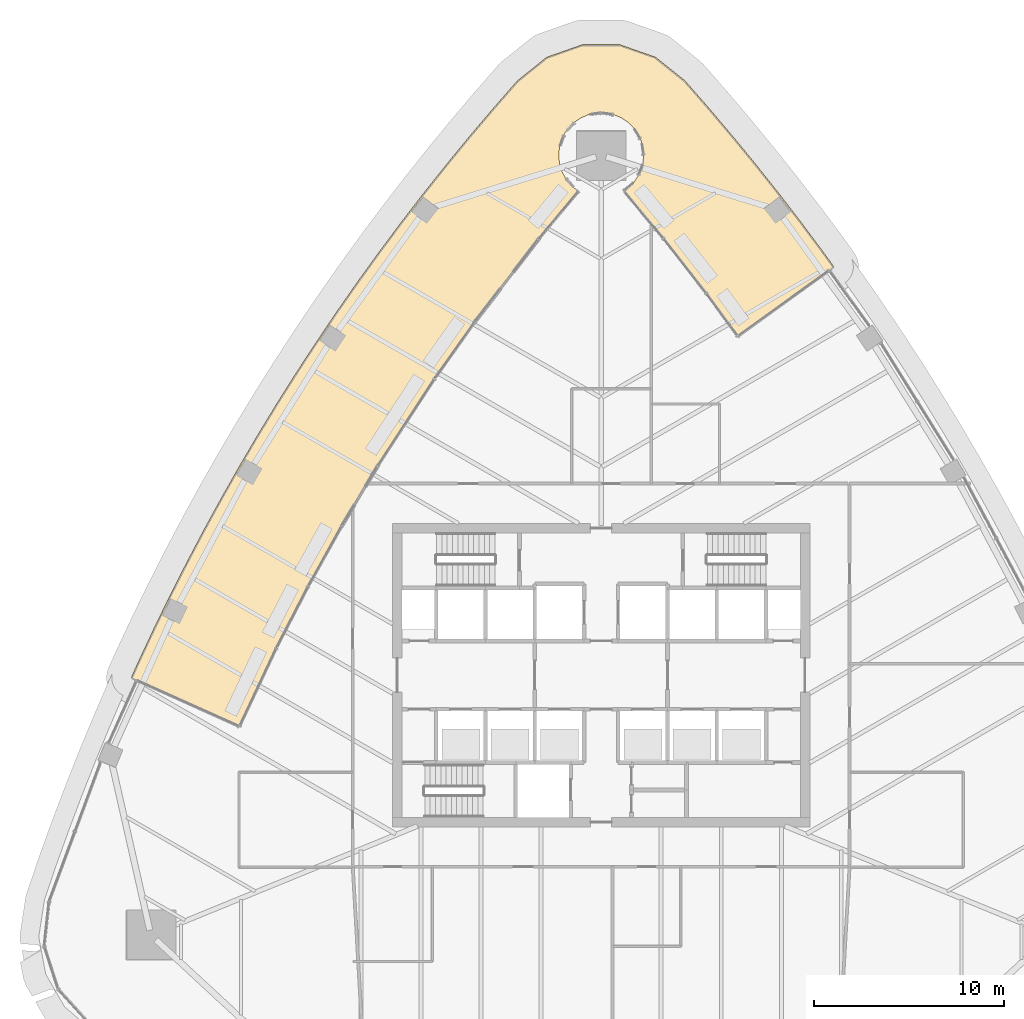
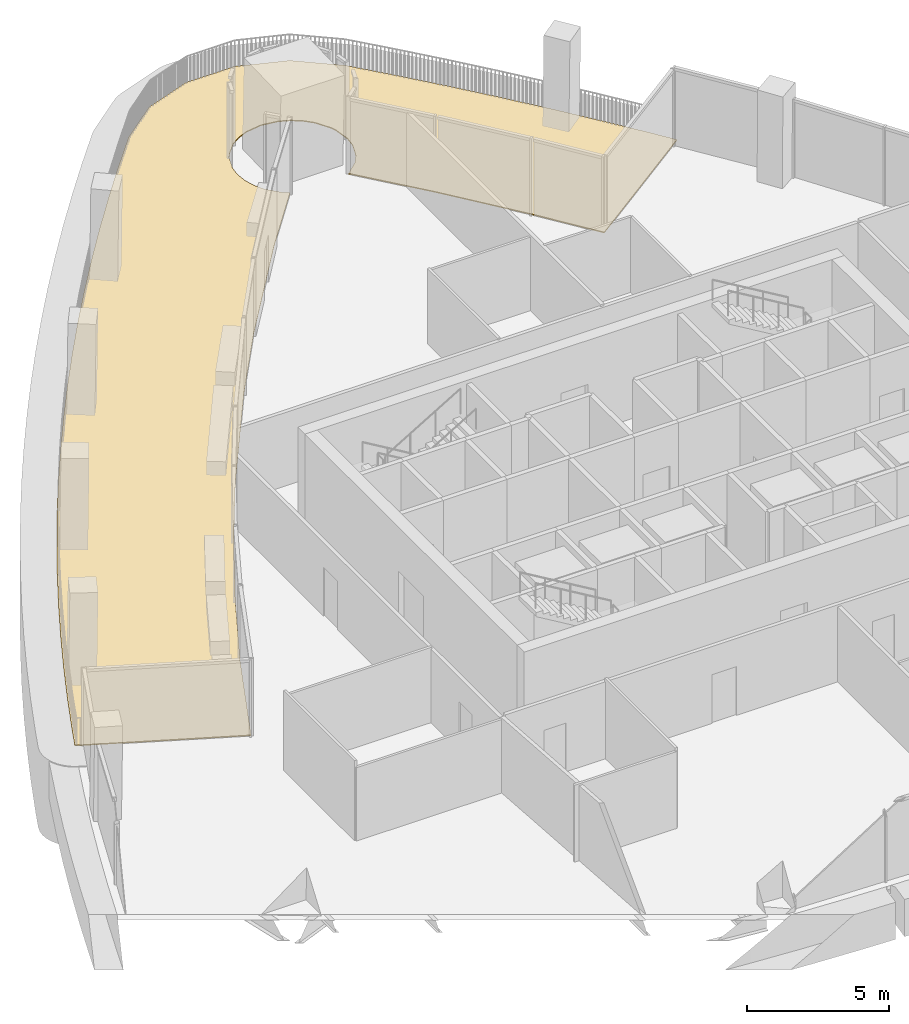
# One storey, part 17 of 19: 1 covering.
"""IFC4 building model written with IfcOpenShell, lengths in metres."""

from ifc_helpers import new_model, si_unit, direction, frame, origin, place, context, subcontext, project, spatial, polyline, outline, extrude, material, layer, layer_set, type_object, element, save


model = new_model("IFC4")

# Units and contexts
model_context = context("Model", 3, precision=1e-05, world=origin(), true_north=direction((0.0, 1.0)))
body_context = subcontext(model_context, "Body", "Model", "MODEL_VIEW")
ifc_project = project(units=[si_unit("LENGTHUNIT", "METRE"), si_unit("AREAUNIT", "SQUARE_METRE"), si_unit("VOLUMEUNIT", "CUBIC_METRE"), si_unit("PLANEANGLEUNIT", "RADIAN"), si_unit("MASSUNIT", "GRAM", prefix="KILO")], contexts=[model_context])

# Site, building, storey
site_placement = place(None, origin())
site = spatial("IfcSite", under=ifc_project, at=site_placement, CompositionType="ELEMENT")
building_placement = place(site_placement, origin())
building = spatial("IfcBuilding", under=site, at=building_placement, Name="Sierra Prisma Convention Tower", CompositionType="ELEMENT")
storey_placement = place(building_placement, frame((0.0, 0.0, 173.800048828125)))
storey = spatial("IfcBuildingStorey", under=building, at=storey_placement, Name="L38", CompositionType="ELEMENT", Elevation=173.800048828125)

# Covering
ifc_material = material(Name="Porcelain stoneware paving", Category="masonry")
ifc_layer = layer(ifc_material, 0.0400390625)
ifc_layer_set = layer_set([ifc_layer], Name="Terrace paving")
covering_type = type_object("IfcCoveringType", Name="Terrace paving", PredefinedType="FLOORING", material=ifc_layer_set)
covering_placement = place(storey_placement, origin())
element("IfcCovering", 1, at=covering_placement, inside=storey, type_object=covering_type, Name="Terrace paving L38", PredefinedType="FLOORING", context=body_context, shape_type="SweptSolid", body=[
    extrude(outline(polyline([(12.278076171875, 21.534912109375), (11.70068359375, 22.33544921875), (10.546630859375, 23.88427734375), (9.36865234375, 25.414794921875), (8.1669921875, 26.926513671875), (6.94189453125, 28.419677734375), (5.693603515625, 29.8935546875), (4.422607421875, 31.34765625), (2.870849609375, 32.591796875), (0.994384765625, 33.2509765625), (-0.994384765625, 33.2509765625), (-2.870849609375, 32.591796875), (-4.422607421875, 31.34765625), (-5.693603515625, 29.8935546875), (-6.94189453125, 28.419677734375), (-8.1669921875, 26.926513671875), (-9.36865234375, 25.414794921875), (-10.546630859375, 23.88427734375), (-11.70068359375, 22.33544921875), (-12.83056640625, 20.76904296875), (-13.935791015625, 19.185302734375), (-15.01611328125, 17.58447265625), (-16.071533203125, 15.966796875), (-17.1015625, 14.333251953125), (-18.10595703125, 12.68359375), (-19.084716796875, 11.0185546875), (-20.037353515625, 9.338623046875), (-20.963623046875, 7.643798828125), (-21.863525390625, 5.934814453125), (-22.736572265625, 4.212158203125), (-23.582763671875, 2.47607421875), (-24.40185546875, 0.72705078125), (-24.78857421875, -0.133544921875), (-19.081298828125, -2.6982421875), (-17.1396484375, 1.43017578125), (-15.4560546875, 4.688720703125), (-13.671875, 7.8935546875), (-11.788818359375, 11.041015625), (-8.782470703125, 15.6484375), (-6.66015625, 18.64013671875), (-3.304443359375, 22.999755859375), (-1.197265625, 25.531982421875), (-1.420166015625, 25.6904296875), (-1.861328125, 26.17724609375), (-2.068115234375, 26.564208984375), (-2.195556640625, 26.984130859375), (-2.238525390625, 27.4208984375), (-2.195556640625, 27.857666015625), (-1.97412109375, 28.47607421875), (-1.861328125, 28.66455078125), (-1.420166015625, 29.1513671875), (-1.05517578125, 29.39501953125), (-0.64990234375, 29.56298828125), (0.0, 29.659423828125), (0.64990234375, 29.56298828125), (1.05517578125, 29.39501953125), (1.420166015625, 29.1513671875), (1.73046875, 28.841064453125), (2.068115234375, 28.277587890625), (2.14208984375, 28.07080078125), (2.238525390625, 27.4208984375), (2.195556640625, 26.984130859375), (1.97412109375, 26.36572265625), (1.73046875, 26.000732421875), (1.197265625, 25.531982421875), (3.304443359375, 22.999755859375), (5.564208984375, 20.110595703125), (7.203125, 17.874755859375), (12.278076171875, 21.534912109375)])), origin(), (0.0, 0.0, 1.0), 0.0400390625),
])

save(model, "model.ifc")
